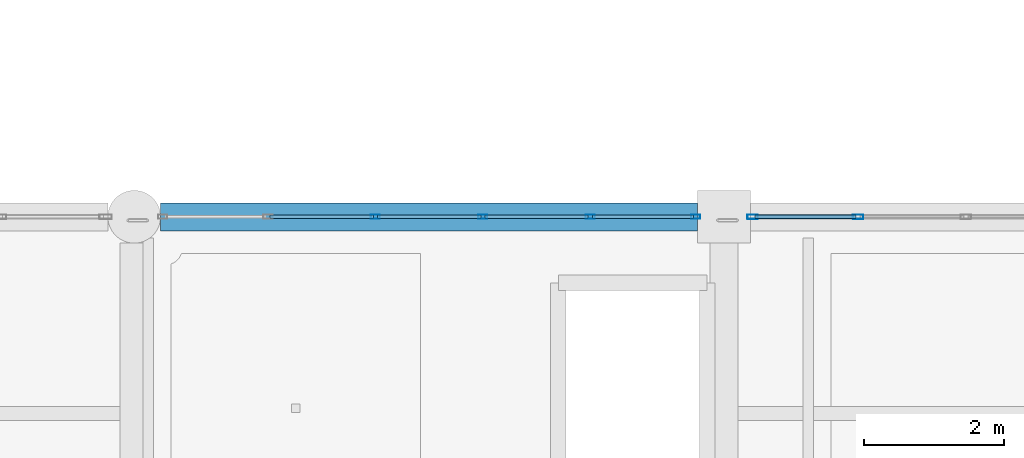
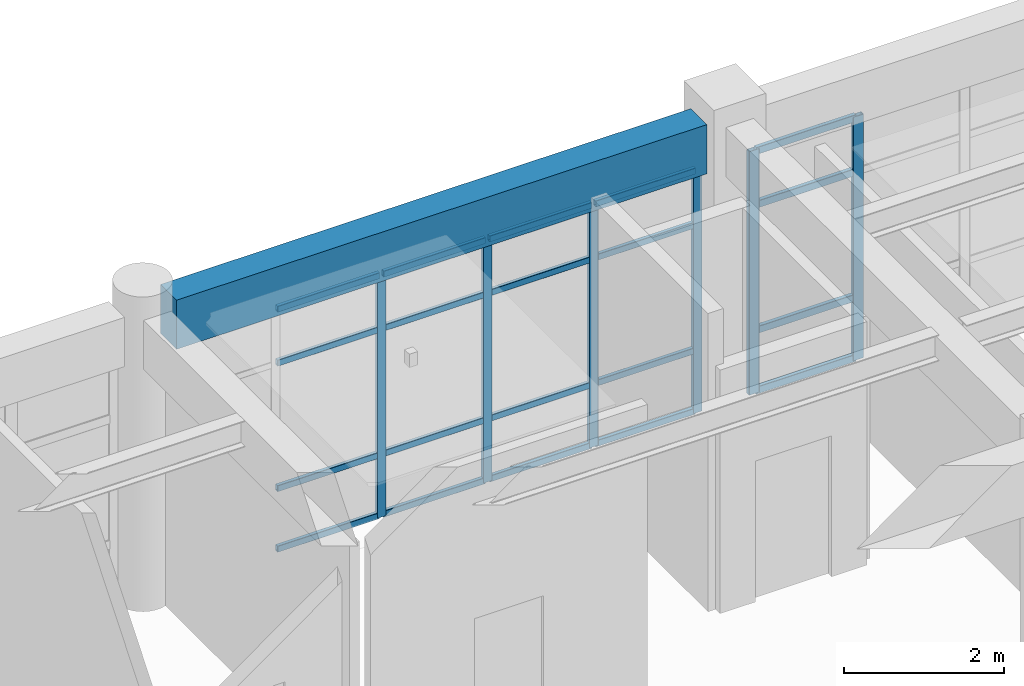
# One storey, part 19 of 111: 26 members, 1 beam, 2 elements without a shape of their own.
"""IFC4 building model written with IfcOpenShell, lengths in metres."""

from ifc_helpers import new_model, si_unit, direction, frame, origin, origin_2d, place, context, subcontext, project, spatial, rectangle, hollow_rectangle, extrude, material, material_profile, profile_set, type_object, element, aggregate, save


model = new_model("IFC4")

# Units and contexts
model_context = context("Model", 3, precision=1e-05, world=origin(), true_north=direction((0.0, 1.0)))
body_context = subcontext(model_context, "Body", "Model", "MODEL_VIEW")
ifc_project = project(units=[si_unit("LENGTHUNIT", "METRE"), si_unit("AREAUNIT", "SQUARE_METRE"), si_unit("VOLUMEUNIT", "CUBIC_METRE"), si_unit("PLANEANGLEUNIT", "RADIAN"), si_unit("MASSUNIT", "GRAM", prefix="KILO")], contexts=[model_context])

# Site, building, storey
site_placement = place(None, origin())
site = spatial("IfcSite", under=ifc_project, at=site_placement, CompositionType="ELEMENT")
building_placement = place(site_placement, origin())
building = spatial("IfcBuilding", under=site, at=building_placement, Name="Canglan Escarpment Cableway Terminal", CompositionType="ELEMENT")
storey_placement = place(building_placement, frame((0.0, 0.0, 4.800048828125)))
storey = spatial("IfcBuildingStorey", under=building, at=storey_placement, Name="L01", CompositionType="ELEMENT", Elevation=4.800048828125)

# Curtain wall, members
ifc_material_1 = material(Name="Anodized bronze aluminium and Low-E double glazing", Category="aluminium")
curtain_wall_type_1 = type_object("IfcCurtainWallType", Name="CW-BAY-7650x3725", PredefinedType="NOTDEFINED", material=ifc_material_1)
curtain_wall_1_placement = place(storey_placement, origin())
curtain_wall_1 = element("IfcCurtainWall", 1, at=curtain_wall_1_placement, inside=storey, type_object=curtain_wall_type_1, Name="Classical bay-between-piers glazed curtain wall CW-01", PredefinedType="NOTDEFINED")
ifc_material_2 = material(Name="Thermally broken anodized aluminium 6063-T6", Category="aluminium")
ifc_material_profile_1 = material_profile(ifc_material_2, hollow_rectangle(XDim=0.06005859375, YDim=0.1298828125, WallThickness=0.0029296875, InnerFilletRadius=0.0029296875, OuterFilletRadius=0.006103515625, at=origin_2d()), Name="ALU-MULL 60x130x3")
ifc_profile_set_1 = profile_set([ifc_material_profile_1], Name="Thermally broken anodized aluminium 6063-T6")
member_type_1 = type_object("IfcMemberType", Name="CWM-01", PredefinedType="MULLION", material=ifc_profile_set_1)
member_1_placement = place(storey_placement, frame((58.89501953125, 24.800048828125, 0.0), z_axis=(0.0, 0.0, 1.0), x_axis=(0.0, -1.0, 0.0)))
member_1 = element("IfcMember", 2, at=member_1_placement, type_object=member_type_1, Name="CW-01 mullion 1", PredefinedType="MULLION", context=body_context, shape_type="SweptSolid", body=[
    extrude(hollow_rectangle(XDim=0.06005859375, YDim=0.1298828125, WallThickness=0.0029296875, InnerFilletRadius=0.0029296875, OuterFilletRadius=0.006103515625, at=origin_2d()), origin(), (0.0, 0.0, 1.0), 3.71484375),
])
member_2_placement = place(storey_placement, frame((57.39501953125, 24.800048828125, 0.0), z_axis=(0.0, 0.0, 1.0), x_axis=(0.0, -1.0, 0.0)))
member_2 = element("IfcMember", 3, at=member_2_placement, type_object=member_type_1, Name="CW-01 mullion 2", PredefinedType="MULLION", context=body_context, shape_type="SweptSolid", body=[
    extrude(hollow_rectangle(XDim=0.06005859375, YDim=0.1298828125, WallThickness=0.0029296875, InnerFilletRadius=0.0029296875, OuterFilletRadius=0.006103515625, at=origin_2d()), origin(), (0.0, 0.0, 1.0), 3.71484375),
])
member_3_placement = place(storey_placement, frame((55.864990234375, 24.800048828125, 0.0), z_axis=(0.0, 0.0, 1.0), x_axis=(0.0, -1.0, 0.0)))
member_3 = element("IfcMember", 4, at=member_3_placement, type_object=member_type_1, Name="CW-01 mullion 3", PredefinedType="MULLION", context=body_context, shape_type="SweptSolid", body=[
    extrude(hollow_rectangle(XDim=0.06005859375, YDim=0.1298828125, WallThickness=0.0029296875, InnerFilletRadius=0.0029296875, OuterFilletRadius=0.006103515625, at=origin_2d()), origin(), (0.0, 0.0, 1.0), 3.71484375),
])
member_4_placement = place(storey_placement, frame((54.3349609375, 24.800048828125, 0.0), z_axis=(0.0, 0.0, 1.0), x_axis=(0.0, -1.0, 0.0)))
member_4 = element("IfcMember", 5, at=member_4_placement, type_object=member_type_1, Name="CW-01 mullion 4", PredefinedType="MULLION", context=body_context, shape_type="SweptSolid", body=[
    extrude(hollow_rectangle(XDim=0.06005859375, YDim=0.1298828125, WallThickness=0.0029296875, InnerFilletRadius=0.0029296875, OuterFilletRadius=0.006103515625, at=origin_2d()), origin(), (0.0, 0.0, 1.0), 3.71484375),
])

curtain_wall_type_2 = type_object("IfcCurtainWallType", Name="CW-BAY-7675x3725", PredefinedType="NOTDEFINED", material=ifc_material_1)
curtain_wall_2_placement = place(storey_placement, origin())
curtain_wall_2 = element("IfcCurtainWall", 6, at=curtain_wall_2_placement, inside=storey, type_object=curtain_wall_type_2, Name="Classical bay-between-piers glazed curtain wall CW-05", PredefinedType="NOTDEFINED")
ifc_material_profile_2 = material_profile(ifc_material_2, hollow_rectangle(XDim=0.06494140625, YDim=0.14990234375, WallThickness=0.00341796875, InnerFilletRadius=0.00341796875, OuterFilletRadius=0.007080078125, at=origin_2d()), Name="ALU-MULL 65x150x3.5")
ifc_profile_set_2 = profile_set([ifc_material_profile_2], Name="Thermally broken anodized aluminium 6063-T6")
member_type_2 = type_object("IfcMemberType", Name="CWM-02", PredefinedType="MULLION", material=ifc_profile_set_2)
member_5_placement = place(storey_placement, frame((61.2099609375, 24.800048828125, 0.0), z_axis=(0.0, 0.0, 1.0), x_axis=(0.0, -1.0, 0.0)))
member_5 = element("IfcMember", 7, at=member_5_placement, type_object=member_type_2, Name="CW-05 mullion 5", PredefinedType="MULLION", context=body_context, shape_type="SweptSolid", body=[
    extrude(hollow_rectangle(XDim=0.06494140625, YDim=0.14990234375, WallThickness=0.00341796875, InnerFilletRadius=0.00341796875, OuterFilletRadius=0.007080078125, at=origin_2d()), origin(), (0.0, 0.0, 1.0), 3.71484375),
])
member_6_placement = place(storey_placement, frame((59.70751953125, 24.800048828125, 0.0), z_axis=(0.0, 0.0, 1.0), x_axis=(0.0, -1.0, 0.0)))
member_6 = element("IfcMember", 8, at=member_6_placement, type_object=member_type_2, Name="CW-05 mullion 6", PredefinedType="MULLION", context=body_context, shape_type="SweptSolid", body=[
    extrude(hollow_rectangle(XDim=0.06494140625, YDim=0.14990234375, WallThickness=0.00341796875, InnerFilletRadius=0.00341796875, OuterFilletRadius=0.007080078125, at=origin_2d()), origin(), (0.0, 0.0, 1.0), 3.71484375),
])

# Member
ifc_material_profile_3 = material_profile(ifc_material_2, hollow_rectangle(XDim=0.054931640625, YDim=0.094970703125, WallThickness=0.0029296875, InnerFilletRadius=0.0029296875, OuterFilletRadius=0.006103515625, at=origin_2d()), Name="ALU-TRAN 55x95x3")
ifc_profile_set_3 = profile_set([ifc_material_profile_3], Name="Thermally broken anodized aluminium 6063-T6")
member_type_3 = type_object("IfcMemberType", Name="CWT-01", PredefinedType="USERDEFINED", material=ifc_profile_set_3)
member_7_placement = place(storey_placement, frame((58.864990234375, 24.800048828125, 0.02734375), z_axis=(-1.0, 0.0, 0.0), x_axis=(0.0, -1.0, 0.0)))
member_7 = element("IfcMember", 9, at=member_7_placement, type_object=member_type_3, Name="CW-01 transom 1.1", ObjectType="TRANSOM", PredefinedType="USERDEFINED", context=body_context, shape_type="SweptSolid", body=[
    extrude(hollow_rectangle(XDim=0.054931640625, YDim=0.094970703125, WallThickness=0.0029296875, InnerFilletRadius=0.0029296875, OuterFilletRadius=0.006103515625, at=origin_2d()), origin(), (0.0, 0.0, 1.0), 1.43994140625),
])

member_8_placement = place(storey_placement, frame((58.864990234375, 24.800048828125, 0.949951171875), z_axis=(-1.0, 0.0, 0.0), x_axis=(0.0, -1.0, 0.0)))
member_8 = element("IfcMember", 10, at=member_8_placement, type_object=member_type_3, Name="CW-01 transom 1.2", ObjectType="TRANSOM", PredefinedType="USERDEFINED", context=body_context, shape_type="SweptSolid", body=[
    extrude(hollow_rectangle(XDim=0.054931640625, YDim=0.094970703125, WallThickness=0.0029296875, InnerFilletRadius=0.0029296875, OuterFilletRadius=0.006103515625, at=origin_2d()), origin(), (0.0, 0.0, 1.0), 1.43994140625),
])

member_9_placement = place(storey_placement, frame((58.864990234375, 24.800048828125, 2.864990234375), z_axis=(-1.0, 0.0, 0.0), x_axis=(0.0, -1.0, 0.0)))
member_9 = element("IfcMember", 11, at=member_9_placement, type_object=member_type_3, Name="CW-01 transom 1.3", ObjectType="TRANSOM", PredefinedType="USERDEFINED", context=body_context, shape_type="SweptSolid", body=[
    extrude(hollow_rectangle(XDim=0.054931640625, YDim=0.094970703125, WallThickness=0.0029296875, InnerFilletRadius=0.0029296875, OuterFilletRadius=0.006103515625, at=origin_2d()), origin(), (0.0, 0.0, 1.0), 1.43994140625),
])

member_10_placement = place(storey_placement, frame((58.864990234375, 24.800048828125, 3.6875), z_axis=(-1.0, 0.0, 0.0), x_axis=(0.0, -1.0, 0.0)))
member_10 = element("IfcMember", 12, at=member_10_placement, type_object=member_type_3, Name="CW-01 transom 1.4", ObjectType="TRANSOM", PredefinedType="USERDEFINED", context=body_context, shape_type="SweptSolid", body=[
    extrude(hollow_rectangle(XDim=0.054931640625, YDim=0.094970703125, WallThickness=0.0029296875, InnerFilletRadius=0.0029296875, OuterFilletRadius=0.006103515625, at=origin_2d()), origin(), (0.0, 0.0, 1.0), 1.43994140625),
])

member_11_placement = place(storey_placement, frame((57.364990234375, 24.800048828125, 0.02734375), z_axis=(-1.0, 0.0, 0.0), x_axis=(0.0, -1.0, 0.0)))
member_11 = element("IfcMember", 13, at=member_11_placement, type_object=member_type_3, Name="CW-01 transom 2.1", ObjectType="TRANSOM", PredefinedType="USERDEFINED", context=body_context, shape_type="SweptSolid", body=[
    extrude(hollow_rectangle(XDim=0.054931640625, YDim=0.094970703125, WallThickness=0.0029296875, InnerFilletRadius=0.0029296875, OuterFilletRadius=0.006103515625, at=origin_2d()), origin(), (0.0, 0.0, 1.0), 1.469970703125),
])

member_12_placement = place(storey_placement, frame((57.364990234375, 24.800048828125, 0.949951171875), z_axis=(-1.0, 0.0, 0.0), x_axis=(0.0, -1.0, 0.0)))
member_12 = element("IfcMember", 14, at=member_12_placement, type_object=member_type_3, Name="CW-01 transom 2.2", ObjectType="TRANSOM", PredefinedType="USERDEFINED", context=body_context, shape_type="SweptSolid", body=[
    extrude(hollow_rectangle(XDim=0.054931640625, YDim=0.094970703125, WallThickness=0.0029296875, InnerFilletRadius=0.0029296875, OuterFilletRadius=0.006103515625, at=origin_2d()), origin(), (0.0, 0.0, 1.0), 1.469970703125),
])

member_13_placement = place(storey_placement, frame((57.364990234375, 24.800048828125, 2.864990234375), z_axis=(-1.0, 0.0, 0.0), x_axis=(0.0, -1.0, 0.0)))
member_13 = element("IfcMember", 15, at=member_13_placement, type_object=member_type_3, Name="CW-01 transom 2.3", ObjectType="TRANSOM", PredefinedType="USERDEFINED", context=body_context, shape_type="SweptSolid", body=[
    extrude(hollow_rectangle(XDim=0.054931640625, YDim=0.094970703125, WallThickness=0.0029296875, InnerFilletRadius=0.0029296875, OuterFilletRadius=0.006103515625, at=origin_2d()), origin(), (0.0, 0.0, 1.0), 1.469970703125),
])

member_14_placement = place(storey_placement, frame((57.364990234375, 24.800048828125, 3.6875), z_axis=(-1.0, 0.0, 0.0), x_axis=(0.0, -1.0, 0.0)))
member_14 = element("IfcMember", 16, at=member_14_placement, type_object=member_type_3, Name="CW-01 transom 2.4", ObjectType="TRANSOM", PredefinedType="USERDEFINED", context=body_context, shape_type="SweptSolid", body=[
    extrude(hollow_rectangle(XDim=0.054931640625, YDim=0.094970703125, WallThickness=0.0029296875, InnerFilletRadius=0.0029296875, OuterFilletRadius=0.006103515625, at=origin_2d()), origin(), (0.0, 0.0, 1.0), 1.469970703125),
])

member_15_placement = place(storey_placement, frame((55.8349609375, 24.800048828125, 0.02734375), z_axis=(-1.0, 0.0, 0.0), x_axis=(0.0, -1.0, 0.0)))
member_15 = element("IfcMember", 17, at=member_15_placement, type_object=member_type_3, Name="CW-01 transom 3.1", ObjectType="TRANSOM", PredefinedType="USERDEFINED", context=body_context, shape_type="SweptSolid", body=[
    extrude(hollow_rectangle(XDim=0.054931640625, YDim=0.094970703125, WallThickness=0.0029296875, InnerFilletRadius=0.0029296875, OuterFilletRadius=0.006103515625, at=origin_2d()), origin(), (0.0, 0.0, 1.0), 1.469970703125),
])

member_16_placement = place(storey_placement, frame((55.8349609375, 24.800048828125, 0.949951171875), z_axis=(-1.0, 0.0, 0.0), x_axis=(0.0, -1.0, 0.0)))
member_16 = element("IfcMember", 18, at=member_16_placement, type_object=member_type_3, Name="CW-01 transom 3.2", ObjectType="TRANSOM", PredefinedType="USERDEFINED", context=body_context, shape_type="SweptSolid", body=[
    extrude(hollow_rectangle(XDim=0.054931640625, YDim=0.094970703125, WallThickness=0.0029296875, InnerFilletRadius=0.0029296875, OuterFilletRadius=0.006103515625, at=origin_2d()), origin(), (0.0, 0.0, 1.0), 1.469970703125),
])

member_17_placement = place(storey_placement, frame((55.8349609375, 24.800048828125, 2.864990234375), z_axis=(-1.0, 0.0, 0.0), x_axis=(0.0, -1.0, 0.0)))
member_17 = element("IfcMember", 19, at=member_17_placement, type_object=member_type_3, Name="CW-01 transom 3.3", ObjectType="TRANSOM", PredefinedType="USERDEFINED", context=body_context, shape_type="SweptSolid", body=[
    extrude(hollow_rectangle(XDim=0.054931640625, YDim=0.094970703125, WallThickness=0.0029296875, InnerFilletRadius=0.0029296875, OuterFilletRadius=0.006103515625, at=origin_2d()), origin(), (0.0, 0.0, 1.0), 1.469970703125),
])

member_18_placement = place(storey_placement, frame((55.8349609375, 24.800048828125, 3.6875), z_axis=(-1.0, 0.0, 0.0), x_axis=(0.0, -1.0, 0.0)))
member_18 = element("IfcMember", 20, at=member_18_placement, type_object=member_type_3, Name="CW-01 transom 3.4", ObjectType="TRANSOM", PredefinedType="USERDEFINED", context=body_context, shape_type="SweptSolid", body=[
    extrude(hollow_rectangle(XDim=0.054931640625, YDim=0.094970703125, WallThickness=0.0029296875, InnerFilletRadius=0.0029296875, OuterFilletRadius=0.006103515625, at=origin_2d()), origin(), (0.0, 0.0, 1.0), 1.469970703125),
])

member_19_placement = place(storey_placement, frame((54.304931640625, 24.800048828125, 0.02734375), z_axis=(-1.0, 0.0, 0.0), x_axis=(0.0, -1.0, 0.0)))
member_19 = element("IfcMember", 21, at=member_19_placement, type_object=member_type_3, Name="CW-01 transom 4.1", ObjectType="TRANSOM", PredefinedType="USERDEFINED", context=body_context, shape_type="SweptSolid", body=[
    extrude(hollow_rectangle(XDim=0.054931640625, YDim=0.094970703125, WallThickness=0.0029296875, InnerFilletRadius=0.0029296875, OuterFilletRadius=0.006103515625, at=origin_2d()), origin(), (0.0, 0.0, 1.0), 1.469970703125),
])

member_20_placement = place(storey_placement, frame((54.304931640625, 24.800048828125, 0.949951171875), z_axis=(-1.0, 0.0, 0.0), x_axis=(0.0, -1.0, 0.0)))
member_20 = element("IfcMember", 22, at=member_20_placement, type_object=member_type_3, Name="CW-01 transom 4.2", ObjectType="TRANSOM", PredefinedType="USERDEFINED", context=body_context, shape_type="SweptSolid", body=[
    extrude(hollow_rectangle(XDim=0.054931640625, YDim=0.094970703125, WallThickness=0.0029296875, InnerFilletRadius=0.0029296875, OuterFilletRadius=0.006103515625, at=origin_2d()), origin(), (0.0, 0.0, 1.0), 1.469970703125),
])

member_21_placement = place(storey_placement, frame((54.304931640625, 24.800048828125, 2.864990234375), z_axis=(-1.0, 0.0, 0.0), x_axis=(0.0, -1.0, 0.0)))
member_21 = element("IfcMember", 23, at=member_21_placement, type_object=member_type_3, Name="CW-01 transom 4.3", ObjectType="TRANSOM", PredefinedType="USERDEFINED", context=body_context, shape_type="SweptSolid", body=[
    extrude(hollow_rectangle(XDim=0.054931640625, YDim=0.094970703125, WallThickness=0.0029296875, InnerFilletRadius=0.0029296875, OuterFilletRadius=0.006103515625, at=origin_2d()), origin(), (0.0, 0.0, 1.0), 1.469970703125),
])

member_22_placement = place(storey_placement, frame((54.304931640625, 24.800048828125, 3.6875), z_axis=(-1.0, 0.0, 0.0), x_axis=(0.0, -1.0, 0.0)))
member_22 = element("IfcMember", 24, at=member_22_placement, type_object=member_type_3, Name="CW-01 transom 4.4", ObjectType="TRANSOM", PredefinedType="USERDEFINED", context=body_context, shape_type="SweptSolid", body=[
    extrude(hollow_rectangle(XDim=0.054931640625, YDim=0.094970703125, WallThickness=0.0029296875, InnerFilletRadius=0.0029296875, OuterFilletRadius=0.006103515625, at=origin_2d()), origin(), (0.0, 0.0, 1.0), 1.469970703125),
])

aggregate(curtain_wall_1, [member_1, member_2, member_3, member_4, member_7, member_8, member_9, member_10, member_11, member_12, member_13, member_14, member_15, member_16, member_17, member_18, member_19, member_20, member_21, member_22])

ifc_material_profile_4 = material_profile(ifc_material_2, hollow_rectangle(XDim=0.06005859375, YDim=0.110107421875, WallThickness=0.0029296875, InnerFilletRadius=0.0029296875, OuterFilletRadius=0.006103515625, at=origin_2d()), Name="ALU-TRAN 60x110x3")
ifc_profile_set_4 = profile_set([ifc_material_profile_4], Name="Thermally broken anodized aluminium 6063-T6")
member_type_4 = type_object("IfcMemberType", Name="CWT-02", PredefinedType="USERDEFINED", material=ifc_profile_set_4)
member_23_placement = place(storey_placement, frame((61.177490234375, 24.800048828125, 0.030029296875), z_axis=(-1.0, 0.0, 0.0), x_axis=(0.0, -1.0, 0.0)))
member_23 = element("IfcMember", 25, at=member_23_placement, type_object=member_type_4, Name="CW-05 transom 5.1", ObjectType="TRANSOM", PredefinedType="USERDEFINED", context=body_context, shape_type="SweptSolid", body=[
    extrude(hollow_rectangle(XDim=0.06005859375, YDim=0.110107421875, WallThickness=0.0029296875, InnerFilletRadius=0.0029296875, OuterFilletRadius=0.006103515625, at=origin_2d()), origin(), (0.0, 0.0, 1.0), 1.4375),
])

member_24_placement = place(storey_placement, frame((61.177490234375, 24.800048828125, 0.949951171875), z_axis=(-1.0, 0.0, 0.0), x_axis=(0.0, -1.0, 0.0)))
member_24 = element("IfcMember", 26, at=member_24_placement, type_object=member_type_4, Name="CW-05 transom 5.2", ObjectType="TRANSOM", PredefinedType="USERDEFINED", context=body_context, shape_type="SweptSolid", body=[
    extrude(hollow_rectangle(XDim=0.06005859375, YDim=0.110107421875, WallThickness=0.0029296875, InnerFilletRadius=0.0029296875, OuterFilletRadius=0.006103515625, at=origin_2d()), origin(), (0.0, 0.0, 1.0), 1.4375),
])

member_25_placement = place(storey_placement, frame((61.177490234375, 24.800048828125, 2.864990234375), z_axis=(-1.0, 0.0, 0.0), x_axis=(0.0, -1.0, 0.0)))
member_25 = element("IfcMember", 27, at=member_25_placement, type_object=member_type_4, Name="CW-05 transom 5.3", ObjectType="TRANSOM", PredefinedType="USERDEFINED", context=body_context, shape_type="SweptSolid", body=[
    extrude(hollow_rectangle(XDim=0.06005859375, YDim=0.110107421875, WallThickness=0.0029296875, InnerFilletRadius=0.0029296875, OuterFilletRadius=0.006103515625, at=origin_2d()), origin(), (0.0, 0.0, 1.0), 1.4375),
])

member_26_placement = place(storey_placement, frame((61.177490234375, 24.800048828125, 3.68505859375), z_axis=(-1.0, 0.0, 0.0), x_axis=(0.0, -1.0, 0.0)))
member_26 = element("IfcMember", 28, at=member_26_placement, type_object=member_type_4, Name="CW-05 transom 5.4", ObjectType="TRANSOM", PredefinedType="USERDEFINED", context=body_context, shape_type="SweptSolid", body=[
    extrude(hollow_rectangle(XDim=0.06005859375, YDim=0.110107421875, WallThickness=0.0029296875, InnerFilletRadius=0.0029296875, OuterFilletRadius=0.006103515625, at=origin_2d()), origin(), (0.0, 0.0, 1.0), 1.4375),
])

aggregate(curtain_wall_2, [member_5, member_6, member_23, member_24, member_25, member_26])

# Beam
ifc_material_3 = material(Name="Concrete C40", Category="concrete")
ifc_material_profile_5 = material_profile(ifc_material_3, rectangle(XDim=0.39990234375, YDim=0.75, at=origin_2d()), Name="RC 400x750")
ifc_profile_set_5 = profile_set([ifc_material_profile_5], Name="Concrete C40")
beam_type = type_object("IfcBeamType", Name="SP-RC400x750", PredefinedType="SPANDREL", material=ifc_profile_set_5)
beam_placement = place(storey_placement, frame((51.27490234375, 24.800048828125, 4.10498046875), z_axis=(1.0, 0.0, 0.0), x_axis=(0.0, 1.0, 0.0)))
element("IfcBeam", 29, at=beam_placement, inside=storey, type_object=beam_type, Name="Primary structural girder SP-01", PredefinedType="SPANDREL", context=body_context, shape_type="SweptSolid", body=[
    extrude(rectangle(XDim=0.39990234375, YDim=0.75, at=origin_2d()), origin(), (0.0, 0.0, 1.0), 7.650146484375),
])

save(model, "model.ifc")
